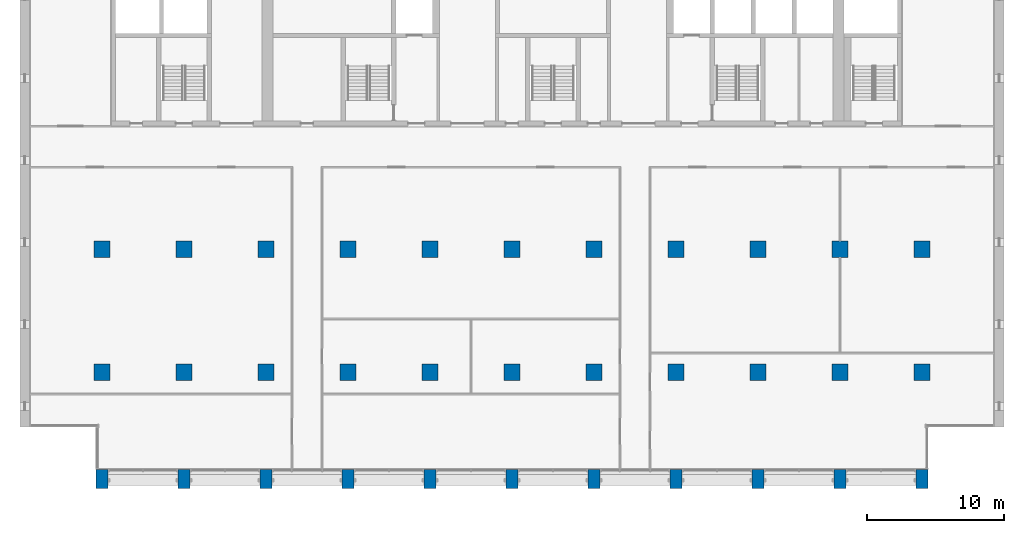
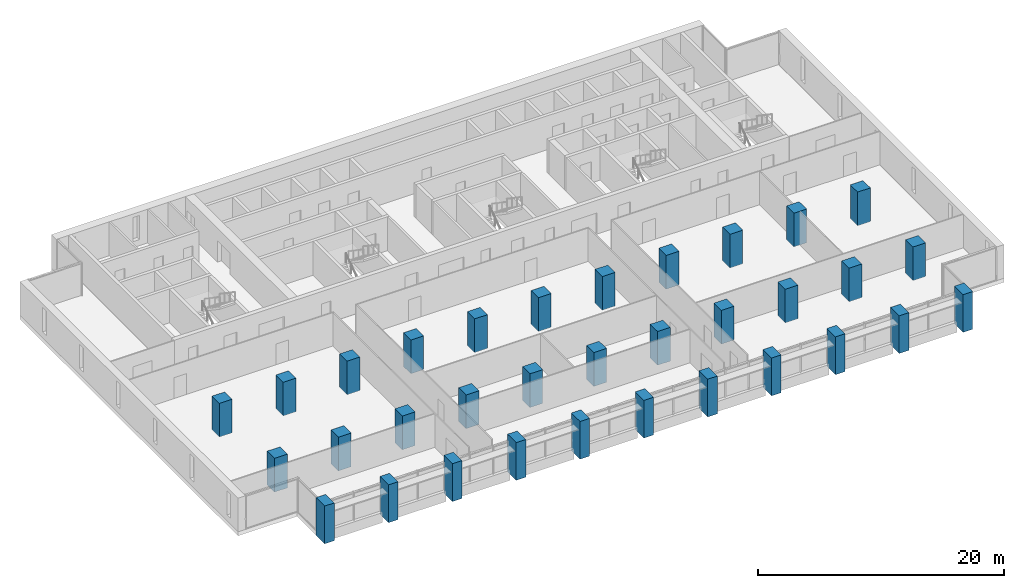
# One storey, part 1 of 15: 33 columns.
"""IFC4 building model written with IfcOpenShell, lengths in metres."""

from ifc_helpers import new_model, si_unit, direction, frame, origin, origin_2d, place, context, subcontext, project, spatial, rectangle, extrude, material, material_profile, profile_set, type_object, element, save


model = new_model("IFC4")

# Units and contexts
model_context = context("Model", 3, precision=1e-05, world=origin(), true_north=direction((0.0, 1.0)))
body_context = subcontext(model_context, "Body", "Model", "MODEL_VIEW")
ifc_project = project(units=[si_unit("LENGTHUNIT", "METRE"), si_unit("AREAUNIT", "SQUARE_METRE"), si_unit("VOLUMEUNIT", "CUBIC_METRE"), si_unit("PLANEANGLEUNIT", "RADIAN"), si_unit("MASSUNIT", "GRAM", prefix="KILO")], contexts=[model_context])

# Site, building, storey
site_placement = place(None, origin())
site = spatial("IfcSite", under=ifc_project, at=site_placement, CompositionType="ELEMENT")
building_placement = place(site_placement, origin())
building = spatial("IfcBuilding", under=site, at=building_placement, Name="Calvaro Tower", CompositionType="ELEMENT")
storey_placement = place(building_placement, frame((0.0, 0.0, 147.5)))
storey = spatial("IfcBuildingStorey", under=building, at=storey_placement, Name="L37", CompositionType="ELEMENT", Elevation=147.5)

# Columns
ifc_material_1 = material(Name="Concrete C60/75", Category="concrete")
ifc_material_profile_1 = material_profile(ifc_material_1, rectangle(XDim=1.199951171875, YDim=1.199951171875, at=origin_2d()), Name="RC 1200x1200")
ifc_profile_set_1 = profile_set([ifc_material_profile_1], Name="Concrete C60/75")
column_type_1 = type_object("IfcColumnType", Name="Column 1200x1200 C60/75", PredefinedType="COLUMN", material=ifc_profile_set_1)
for number, where, z_axis, x_axis, name in (
    (1, (6.0, 10.0, 0.0), (0.0, 0.0, 1.0), (1.0, 0.0, 0.0), "Column 2B"),
    (2, (6.0, 19.0, 0.0), (0.0, 0.0, 1.0), (1.0, 0.0, 0.0), "Column 2C"),
    (3, (12.0, 10.0, 0.0), (0.0, 0.0, 1.0), (1.0, 0.0, 0.0), "Column 3B"),
    (4, (12.0, 19.0, 0.0), (0.0, 0.0, 1.0), (1.0, 0.0, 0.0), "Column 3C"),
    (5, (18.0, 10.0, 0.0), (0.0, 0.0, 1.0), (1.0, 0.0, 0.0), "Column 4B"),
    (6, (18.0, 19.0, 0.0), (0.0, 0.0, 1.0), (1.0, 0.0, 0.0), "Column 4C"),
    (7, (24.0, 10.0, 0.0), (0.0, 0.0, 1.0), (1.0, 0.0, 0.0), "Column 5B"),
    (8, (24.0, 19.0, 0.0), (0.0, 0.0, 1.0), (1.0, 0.0, 0.0), "Column 5C"),
    (9, (30.0, 10.0, 0.0), (0.0, 0.0, 1.0), (1.0, 0.0, 0.0), "Column 6B"),
    (10, (30.0, 19.0, 0.0), (0.0, 0.0, 1.0), (1.0, 0.0, 0.0), "Column 6C"),
    (11, (36.0, 10.0, 0.0), (0.0, 0.0, 1.0), (1.0, 0.0, 0.0), "Column 7B"),
    (12, (36.0, 19.0, 0.0), (0.0, 0.0, 1.0), (1.0, 0.0, 0.0), "Column 7C"),
    (13, (42.0, 10.0, 0.0), (0.0, 0.0, 1.0), (1.0, 0.0, 0.0), "Column 8B"),
    (14, (42.0, 19.0, 0.0), (0.0, 0.0, 1.0), (1.0, 0.0, 0.0), "Column 8C"),
    (15, (48.0, 10.0, 0.0), (0.0, 0.0, 1.0), (1.0, 0.0, 0.0), "Column 9B"),
    (16, (48.0, 19.0, 0.0), (0.0, 0.0, 1.0), (1.0, 0.0, 0.0), "Column 9C"),
    (17, (54.0, 10.0, 0.0), (0.0, 0.0, 1.0), (1.0, 0.0, 0.0), "Column 10B"),
    (18, (54.0, 19.0, 0.0), (0.0, 0.0, 1.0), (1.0, 0.0, 0.0), "Column 10C"),
    (19, (60.0, 10.0, 0.0), (0.0, 0.0, 1.0), (1.0, 0.0, 0.0), "Column 11B"),
    (20, (60.0, 19.0, 0.0), (0.0, 0.0, 1.0), (1.0, 0.0, 0.0), "Column 11C"),
    (21, (66.0, 10.0, 0.0), (0.0, 0.0, 1.0), (1.0, 0.0, 0.0), "Column 12B"),
    (22, (66.0, 19.0, 0.0), (0.0, 0.0, 1.0), (1.0, 0.0, 0.0), "Column 12C"),
):
    element("IfcColumn", number, at=place(storey_placement, frame(where, z_axis=z_axis, x_axis=x_axis)), inside=storey, type_object=column_type_1, Name=name, PredefinedType="COLUMN", context=body_context, shape_type="SweptSolid", body=[
        extrude(rectangle(XDim=1.199951171875, YDim=1.199951171875, at=origin_2d()), origin(), (0.0, 0.0, 1.0), 3.35009765625),
    ])
ifc_material_2 = material(Name="Concrete C60/75", Category="concrete")
ifc_material_profile_2 = material_profile(ifc_material_2, rectangle(XDim=0.89990234375, YDim=1.39990234375, at=origin_2d()), Name="RC 900x1400")
ifc_profile_set_2 = profile_set([ifc_material_profile_2], Name="Concrete C60/75")
column_type_2 = type_object("IfcColumnType", Name="Pier 900x1400 C60/75", PredefinedType="COLUMN", material=ifc_profile_set_2)
for number, where, z_axis, x_axis, name in (
    (23, (6.0, 2.199951171875, -0.39990234375), (0.0, 0.0, 1.0), (1.0, 0.0, 0.0), "South pier 2"),
    (24, (12.0, 2.199951171875, -0.39990234375), (0.0, 0.0, 1.0), (1.0, 0.0, 0.0), "South pier 3"),
    (25, (18.0, 2.199951171875, -0.39990234375), (0.0, 0.0, 1.0), (1.0, 0.0, 0.0), "South pier 4"),
    (26, (24.0, 2.199951171875, -0.39990234375), (0.0, 0.0, 1.0), (1.0, 0.0, 0.0), "South pier 5"),
    (27, (30.0, 2.199951171875, -0.39990234375), (0.0, 0.0, 1.0), (1.0, 0.0, 0.0), "South pier 6"),
    (28, (36.0, 2.199951171875, -0.39990234375), (0.0, 0.0, 1.0), (1.0, 0.0, 0.0), "South pier 7"),
    (29, (42.0, 2.199951171875, -0.39990234375), (0.0, 0.0, 1.0), (1.0, 0.0, 0.0), "South pier 8"),
    (30, (48.0, 2.199951171875, -0.39990234375), (0.0, 0.0, 1.0), (1.0, 0.0, 0.0), "South pier 9"),
    (31, (54.0, 2.199951171875, -0.39990234375), (0.0, 0.0, 1.0), (1.0, 0.0, 0.0), "South pier 10"),
    (32, (60.0, 2.199951171875, -0.39990234375), (0.0, 0.0, 1.0), (1.0, 0.0, 0.0), "South pier 11"),
    (33, (66.0, 2.199951171875, -0.39990234375), (0.0, 0.0, 1.0), (1.0, 0.0, 0.0), "South pier 12"),
):
    element("IfcColumn", number, at=place(storey_placement, frame(where, z_axis=z_axis, x_axis=x_axis)), inside=storey, type_object=column_type_2, Name=name, PredefinedType="COLUMN", context=body_context, shape_type="SweptSolid", body=[
        extrude(rectangle(XDim=0.89990234375, YDim=1.39990234375, at=origin_2d()), origin(), (0.0, 0.0, 1.0), 3.75),
    ])

save(model, "model.ifc")
